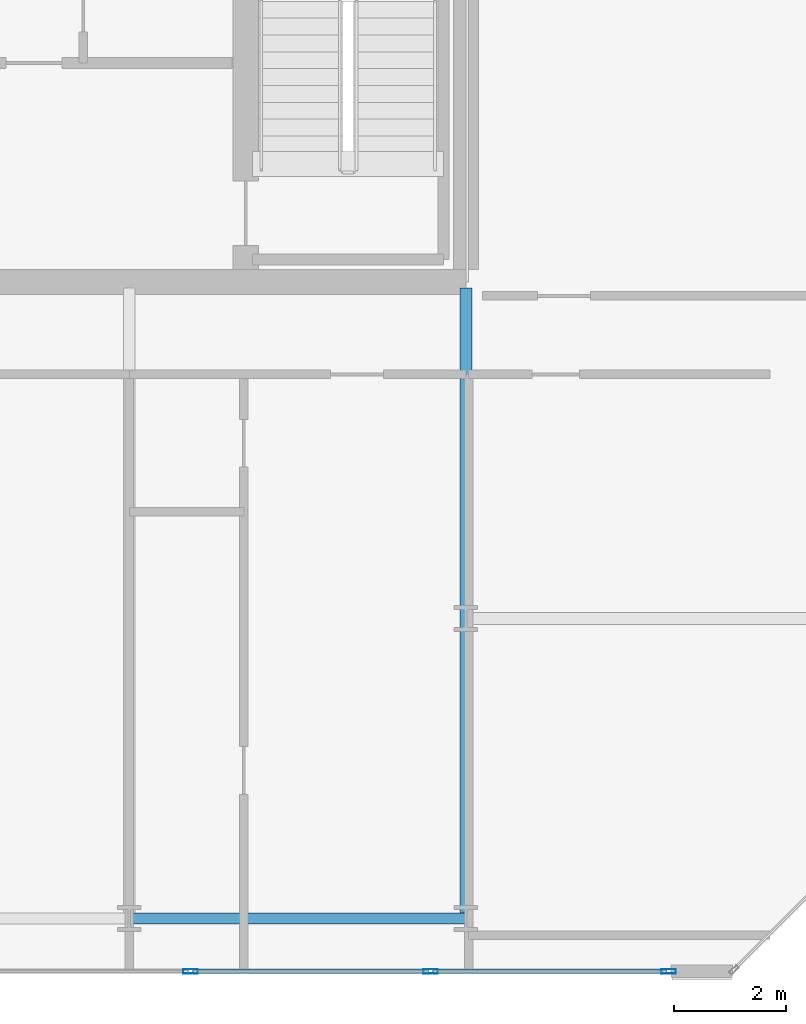
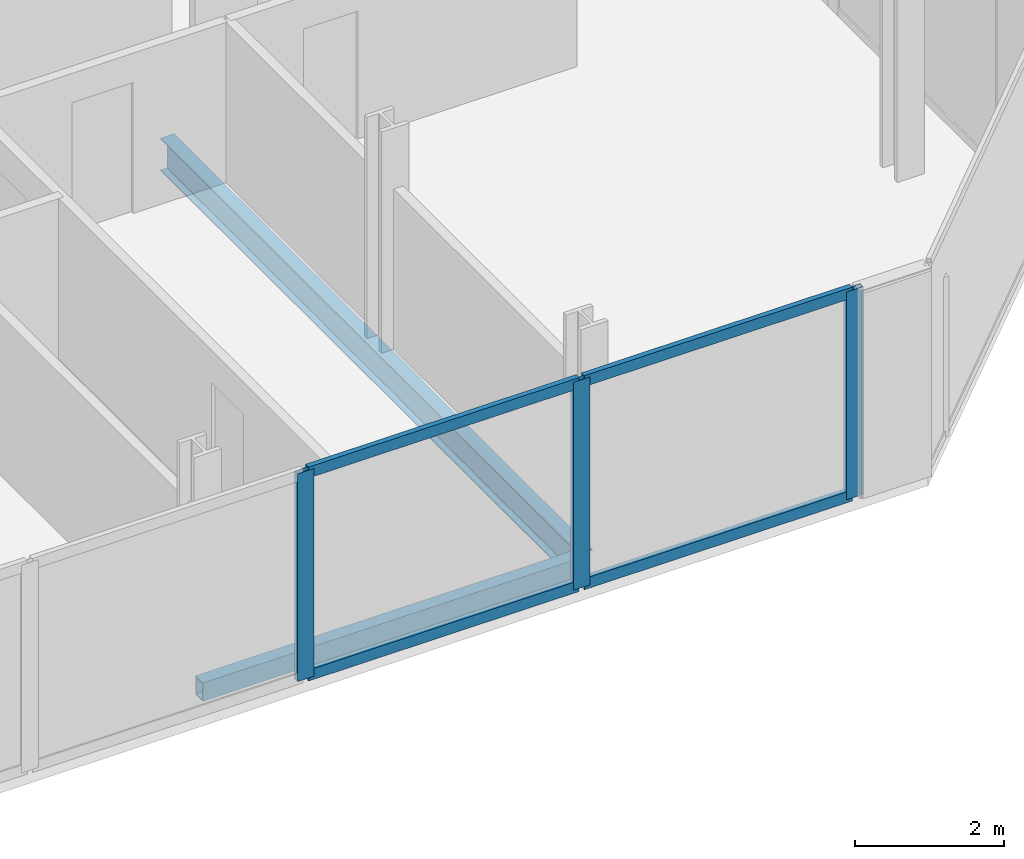
# One storey, part 6 of 17: 7 members, 2 beams, 1 element without a shape of its own.
"""IFC4 building model written with IfcOpenShell, lengths in metres."""

from ifc_helpers import new_model, si_unit, direction, frame, origin, origin_2d, place, context, subcontext, project, spatial, hollow_rectangle, i_section, extrude, material, layer, layer_set, material_profile, profile_set, type_object, element, aggregate, save


model = new_model("IFC4")

# Units and contexts
model_context = context("Model", 3, precision=1e-05, world=origin(), true_north=direction((0.0, 1.0)))
body_context = subcontext(model_context, "Body", "Model", "MODEL_VIEW")
ifc_project = project(units=[si_unit("LENGTHUNIT", "METRE"), si_unit("AREAUNIT", "SQUARE_METRE"), si_unit("VOLUMEUNIT", "CUBIC_METRE"), si_unit("PLANEANGLEUNIT", "RADIAN"), si_unit("MASSUNIT", "GRAM", prefix="KILO")], contexts=[model_context])

# Site, building, storey
site_placement = place(None, origin())
site = spatial("IfcSite", under=ifc_project, at=site_placement, CompositionType="ELEMENT")
building_placement = place(site_placement, origin())
building = spatial("IfcBuilding", under=site, at=building_placement, Name="Tanjung Sevakor Pilgrim Tower", CompositionType="ELEMENT")
storey_placement = place(building_placement, frame((0.0, 0.0, 267.9599609375)))
storey = spatial("IfcBuildingStorey", under=building, at=storey_placement, Name="L75", CompositionType="ELEMENT", Elevation=267.9599609375)

# Beams
ifc_material_1 = material(Name="Steel S355J2", Category="steel")
ifc_material_profile_1 = material_profile(ifc_material_1, i_section(OverallWidth=0.210693359375, OverallDepth=0.53955078125, WebThickness=0.01171875, FlangeThickness=0.018798828125, FilletRadius=0.0126953125, at=origin_2d()))
ifc_profile_set_1 = profile_set([ifc_material_profile_1], Name="Steel S355J2")
beam_type_1 = type_object("IfcBeamType", Name="BM-B-G6-UB_533x210x109", PredefinedType="BEAM", material=ifc_profile_set_1)
beam_1_placement = place(storey_placement, frame((90.0, 13.25, -0.48974609375), z_axis=(0.0, 1.0, 0.0), x_axis=(-1.0, 0.0, 0.0)))
element("IfcBeam", 1, at=beam_1_placement, inside=storey, type_object=beam_type_1, Name="L75 EAST Girder 009", PredefinedType="BEAM", context=body_context, shape_type="SweptSolid", body=[
    extrude(i_section(OverallWidth=0.210693359375, OverallDepth=0.53955078125, WebThickness=0.01171875, FlangeThickness=0.018798828125, FilletRadius=0.0126953125, at=origin_2d()), origin(), (0.0, 0.0, 1.0), 11.243896484375),
])
ifc_material_2 = material(Name="Steel S355J2", Category="steel")
ifc_material_profile_2 = material_profile(ifc_material_2, hollow_rectangle(XDim=0.199951171875, YDim=0.300048828125, WallThickness=0.012451171875, at=origin_2d()))
ifc_profile_set_2 = profile_set([ifc_material_profile_2], Name="Steel S355J2")
beam_type_2 = type_object("IfcBeamType", Name="BM-B-SP3-RHS_300x200x12.5", PredefinedType="SPANDREL", material=ifc_profile_set_2)
beam_2_placement = place(storey_placement, frame((84.0, 13.25, -0.369873046875), z_axis=(1.0, 0.0, 0.0), x_axis=(0.0, 1.0, 0.0)))
element("IfcBeam", 2, at=beam_2_placement, inside=storey, type_object=beam_type_2, Name="L75 Spandrel EAST S-05", PredefinedType="SPANDREL", context=body_context, shape_type="SweptSolid", body=[
    extrude(hollow_rectangle(XDim=0.199951171875, YDim=0.300048828125, WallThickness=0.012451171875, at=origin_2d()), origin(), (0.0, 0.0, 1.0), 6.0),
])

# Curtain wall, members
ifc_material_3 = material(Name="Aluminium 6063-T6 and Low-E Glass", Category="aluminium")
ifc_layer = layer(ifc_material_3, 0.219970703125)
ifc_layer_set = layer_set([ifc_layer], Name="CW-SYS-CRNE")
curtain_wall_type = type_object("IfcCurtainWallType", Name="CW-SYS-CRNE", PredefinedType="NOTDEFINED", material=ifc_layer_set)
curtain_wall_placement = place(storey_placement, origin())
curtain_wall = element("IfcCurtainWall", 3, at=curtain_wall_placement, inside=storey, type_object=curtain_wall_type, Name="L75 Curtain Wall CW-CRN-L75-EAST-0-1", PredefinedType="NOTDEFINED")
ifc_material_4 = material(Name="Aluminium 6063-T6", Category="aluminium")
ifc_material_profile_3 = material_profile(ifc_material_4, hollow_rectangle(XDim=0.080078125, YDim=0.260009765625, WallThickness=0.0048828125, at=origin_2d()))
ifc_profile_set_3 = profile_set([ifc_material_profile_3], Name="Aluminium 6063-T6")
member_type_1 = type_object("IfcMemberType", Name="TYPE-CWM-3", PredefinedType="MULLION", material=ifc_profile_set_3)
member_1_placement = place(storey_placement, frame((85.0908203125, 12.31005859375, 0.0), z_axis=(0.0, 0.0, 1.0), x_axis=(0.0, 1.0, 0.0)))
member_1 = element("IfcMember", 4, at=member_1_placement, type_object=member_type_1, Name="CW-CRE mullion 4", PredefinedType="MULLION", context=body_context, shape_type="SweptSolid", body=[
    extrude(hollow_rectangle(XDim=0.080078125, YDim=0.260009765625, WallThickness=0.0048828125, at=origin_2d()), origin(), (0.0, 0.0, 1.0), 3.41015625),
])
member_2_placement = place(storey_placement, frame((89.37255859375, 12.31005859375, 0.0), z_axis=(0.0, 0.0, 1.0), x_axis=(0.0, 1.0, 0.0)))
member_2 = element("IfcMember", 5, at=member_2_placement, type_object=member_type_1, Name="CW-CRE mullion 5", PredefinedType="MULLION", context=body_context, shape_type="SweptSolid", body=[
    extrude(hollow_rectangle(XDim=0.080078125, YDim=0.260009765625, WallThickness=0.0048828125, at=origin_2d()), origin(), (0.0, 0.0, 1.0), 3.41015625),
])
member_3_placement = place(storey_placement, frame((93.614501953125, 12.31005859375, 0.0), z_axis=(0.0, 0.0, 1.0), x_axis=(0.0, 1.0, 0.0)))
member_3 = element("IfcMember", 6, at=member_3_placement, type_object=member_type_1, Name="CW-CRE mullion 6", PredefinedType="MULLION", context=body_context, shape_type="SweptSolid", body=[
    extrude(hollow_rectangle(XDim=0.080078125, YDim=0.260009765625, WallThickness=0.0048828125, at=origin_2d()), origin(), (0.0, 0.0, 1.0), 3.41015625),
])
ifc_material_5 = material(Name="Aluminium 6063-T6", Category="aluminium")
ifc_material_profile_4 = material_profile(ifc_material_5, hollow_rectangle(XDim=0.080078125, YDim=0.179931640625, WallThickness=0.0048828125, at=origin_2d()))
ifc_profile_set_4 = profile_set([ifc_material_profile_4], Name="Aluminium 6063-T6")
member_type_2 = type_object("IfcMemberType", Name="TYPE-CWT-3", PredefinedType="USERDEFINED", material=ifc_profile_set_4)
member_4_placement = place(storey_placement, frame((85.130859375, 12.31005859375, 0.0400390625), z_axis=(1.0, 0.0, 0.0), x_axis=(0.0, 1.0, 0.0)))
member_4 = element("IfcMember", 7, at=member_4_placement, type_object=member_type_2, Name="CW-CRE transom 4.1", ObjectType="TRANSOM", PredefinedType="USERDEFINED", context=body_context, shape_type="SweptSolid", body=[
    extrude(hollow_rectangle(XDim=0.080078125, YDim=0.179931640625, WallThickness=0.0048828125, at=origin_2d()), origin(), (0.0, 0.0, 1.0), 4.20166015625),
])
member_5_placement = place(storey_placement, frame((85.130859375, 12.31005859375, 3.3701171875), z_axis=(1.0, 0.0, 0.0), x_axis=(0.0, 1.0, 0.0)))
member_5 = element("IfcMember", 8, at=member_5_placement, type_object=member_type_2, Name="CW-CRE transom 4.2", ObjectType="TRANSOM", PredefinedType="USERDEFINED", context=body_context, shape_type="SweptSolid", body=[
    extrude(hollow_rectangle(XDim=0.080078125, YDim=0.179931640625, WallThickness=0.0048828125, at=origin_2d()), origin(), (0.0, 0.0, 1.0), 4.20166015625),
])
member_6_placement = place(storey_placement, frame((89.41259765625, 12.31005859375, 0.0400390625), z_axis=(1.0, 0.0, 0.0), x_axis=(0.0, 1.0, 0.0)))
member_6 = element("IfcMember", 9, at=member_6_placement, type_object=member_type_2, Name="CW-CRE transom 5.1", ObjectType="TRANSOM", PredefinedType="USERDEFINED", context=body_context, shape_type="SweptSolid", body=[
    extrude(hollow_rectangle(XDim=0.080078125, YDim=0.179931640625, WallThickness=0.0048828125, at=origin_2d()), origin(), (0.0, 0.0, 1.0), 4.161865234375),
])
member_7_placement = place(storey_placement, frame((89.41259765625, 12.31005859375, 3.3701171875), z_axis=(1.0, 0.0, 0.0), x_axis=(0.0, 1.0, 0.0)))
member_7 = element("IfcMember", 10, at=member_7_placement, type_object=member_type_2, Name="CW-CRE transom 5.2", ObjectType="TRANSOM", PredefinedType="USERDEFINED", context=body_context, shape_type="SweptSolid", body=[
    extrude(hollow_rectangle(XDim=0.080078125, YDim=0.179931640625, WallThickness=0.0048828125, at=origin_2d()), origin(), (0.0, 0.0, 1.0), 4.161865234375),
])
aggregate(curtain_wall, [member_1, member_2, member_3, member_4, member_5, member_6, member_7])

save(model, "model.ifc")
